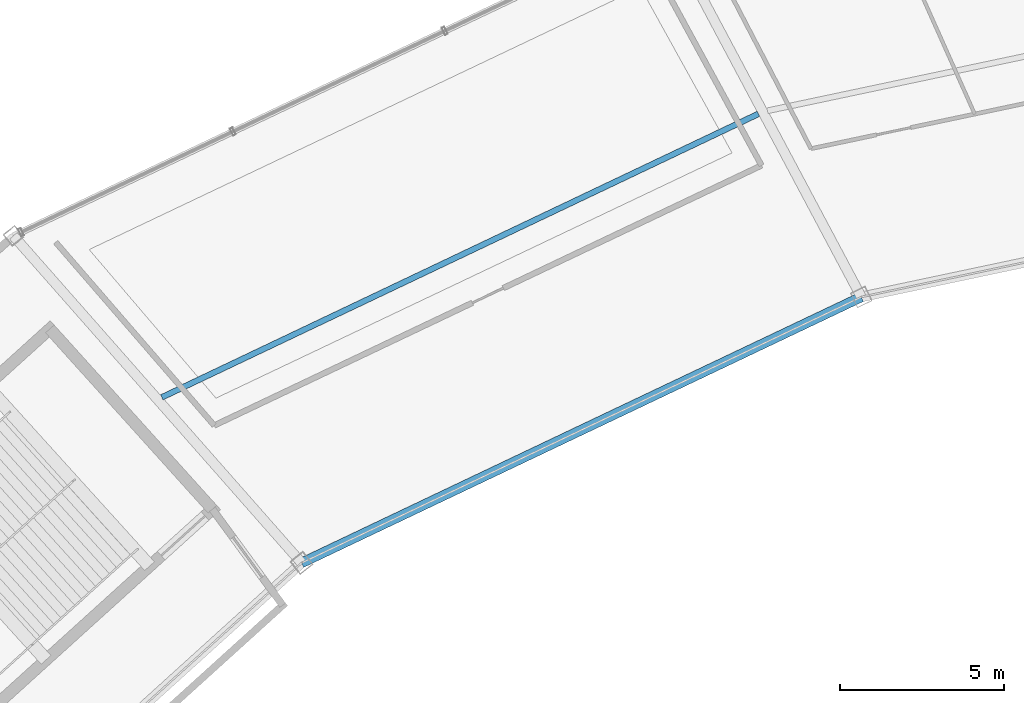
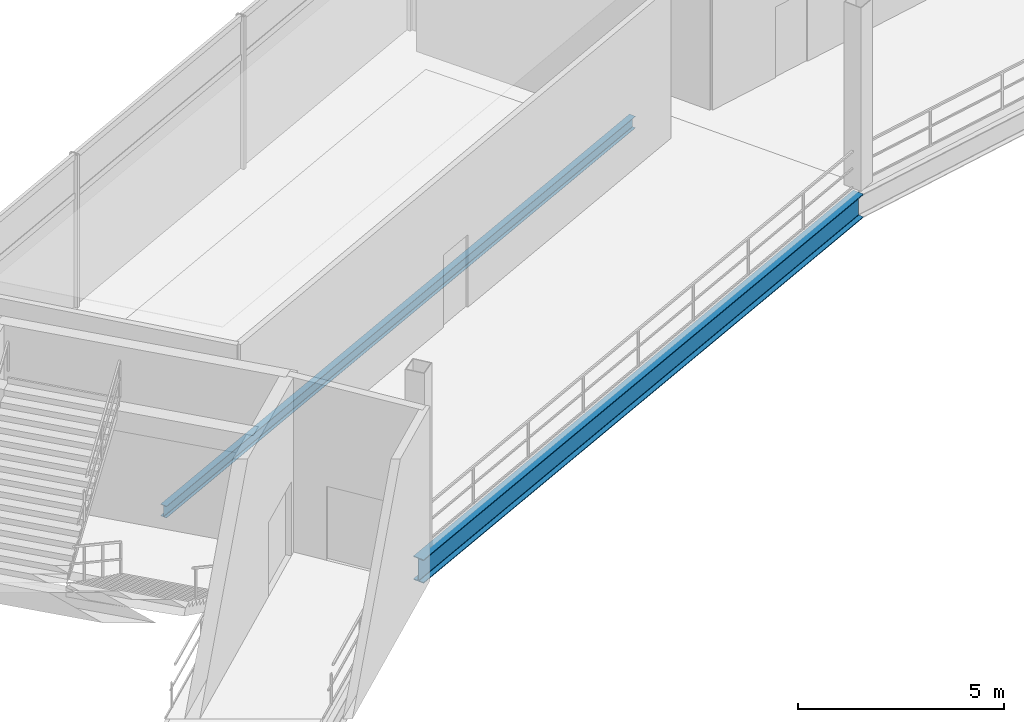
# One storey, part 52 of 103: 2 beams.
"""IFC4 building model written with IfcOpenShell, lengths in metres."""

from ifc_helpers import new_model, si_unit, direction, frame, origin, origin_2d, place, context, subcontext, project, spatial, i_section, extrude, material, material_profile, profile_set, type_object, element, save


model = new_model("IFC4")

# Units and contexts
model_context = context("Model", 3, precision=1e-05, world=origin(), true_north=direction((0.0, 1.0)))
body_context = subcontext(model_context, "Body", "Model", "MODEL_VIEW")
ifc_project = project(units=[si_unit("LENGTHUNIT", "METRE"), si_unit("AREAUNIT", "SQUARE_METRE"), si_unit("VOLUMEUNIT", "CUBIC_METRE"), si_unit("PLANEANGLEUNIT", "RADIAN"), si_unit("MASSUNIT", "GRAM", prefix="KILO")], contexts=[model_context])

# Site, building, storey
site_placement = place(None, origin())
site = spatial("IfcSite", under=ifc_project, at=site_placement, CompositionType="ELEMENT")
building_placement = place(site_placement, origin())
building = spatial("IfcBuilding", under=site, at=building_placement, Name="Kazemori Nagisa Stadium", CompositionType="ELEMENT")
storey_placement = place(building_placement, frame((0.0, 0.0, 25.840087890625)))
storey = spatial("IfcBuildingStorey", under=building, at=storey_placement, Name="L05", CompositionType="ELEMENT", Elevation=25.840087890625)

# Beams
ifc_material = material(Name="Steel SN490B", Category="steel")
ifc_material_profile_1 = material_profile(ifc_material, i_section(OverallWidth=0.300048828125, OverallDepth=0.699951171875, WebThickness=0.012939453125, FlangeThickness=0.02392578125, FilletRadius=0.01806640625, at=origin_2d()), Name="H-700x300x13x24")
ifc_profile_set_1 = profile_set([ifc_material_profile_1], Name="Steel SN490B")
beam_type_1 = type_object("IfcBeamType", Name="Beam_BG-H700", PredefinedType="BEAM", material=ifc_profile_set_1)
beam_1_placement = place(storey_placement, frame((86.18798828125, 171.19921875, -0.610107421875), z_axis=(-0.90321938295, -0.42917915404, 0.0), x_axis=(0.42917915404, -0.90321938295, 0.0)))
element("IfcBeam", 1, at=beam_1_placement, inside=storey, type_object=beam_type_1, Name="Ring girder BG-H700 L05 R2-10", PredefinedType="BEAM", context=body_context, shape_type="SweptSolid", body=[
    extrude(i_section(OverallWidth=0.300048828125, OverallDepth=0.699951171875, WebThickness=0.012939453125, FlangeThickness=0.02392578125, FilletRadius=0.01806640625, at=origin_2d()), origin(), (0.0, 0.0, 1.0), 18.84619140625),
])
ifc_material_profile_2 = material_profile(ifc_material, i_section(OverallWidth=0.175048828125, OverallDepth=0.35009765625, WebThickness=0.007080078125, FlangeThickness=0.010986328125, FilletRadius=0.012939453125, at=origin_2d()), Name="H-350x175x7x11")
ifc_profile_set_2 = profile_set([ifc_material_profile_2], Name="Steel SN490B")
beam_type_2 = type_object("IfcBeamType", Name="Beam_BJ-H350", PredefinedType="JOIST", material=ifc_profile_set_2)
beam_2_placement = place(storey_placement, frame((83.060546875, 176.76953125, -0.43505859375), z_axis=(-0.90321332486, -0.429191903228, 0.0), x_axis=(0.429191903228, -0.90321332486, 0.0)))
element("IfcBeam", 2, at=beam_2_placement, inside=storey, type_object=beam_type_2, Name="Outer bay joist BJ-H350 L05 B10", PredefinedType="JOIST", context=body_context, shape_type="SweptSolid", body=[
    extrude(i_section(OverallWidth=0.175048828125, OverallDepth=0.35009765625, WebThickness=0.007080078125, FlangeThickness=0.010986328125, FilletRadius=0.012939453125, at=origin_2d()), origin(), (0.0, 0.0, 1.0), 20.09033203125),
])

save(model, "model.ifc")
